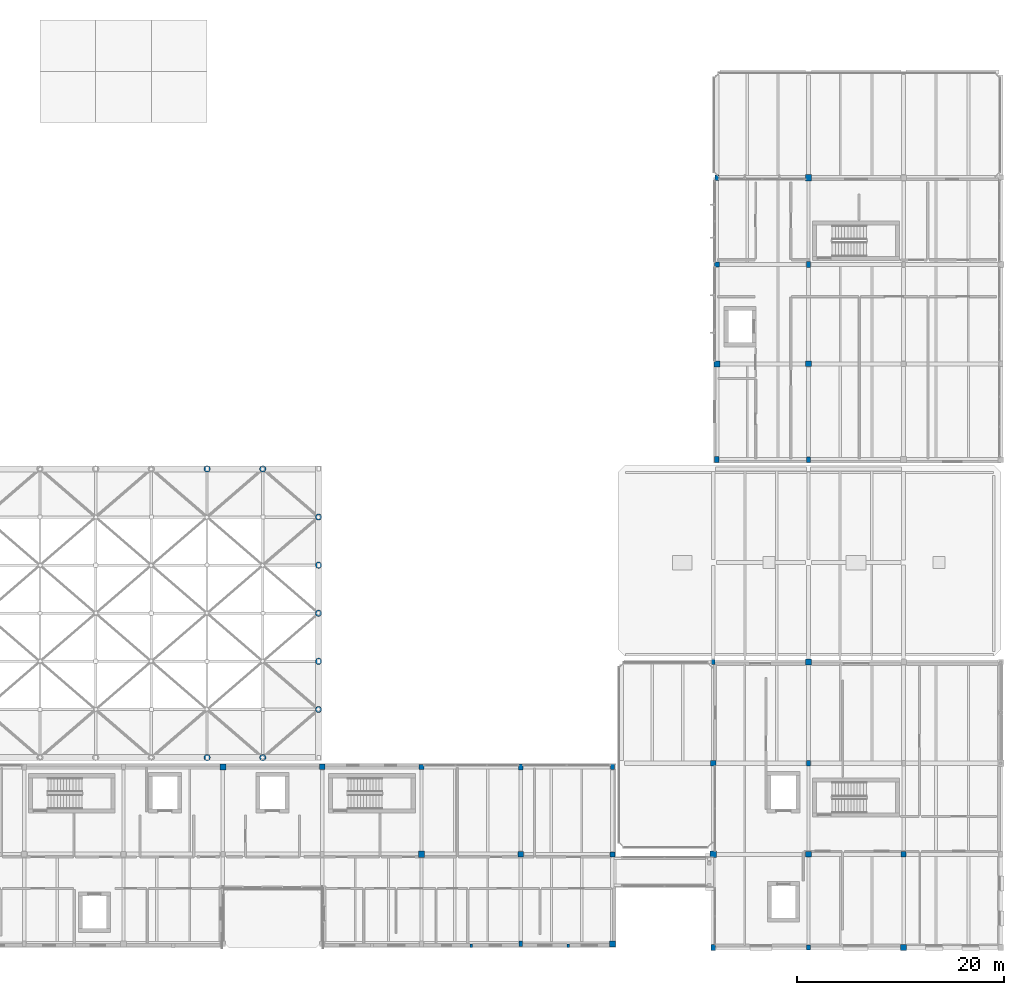
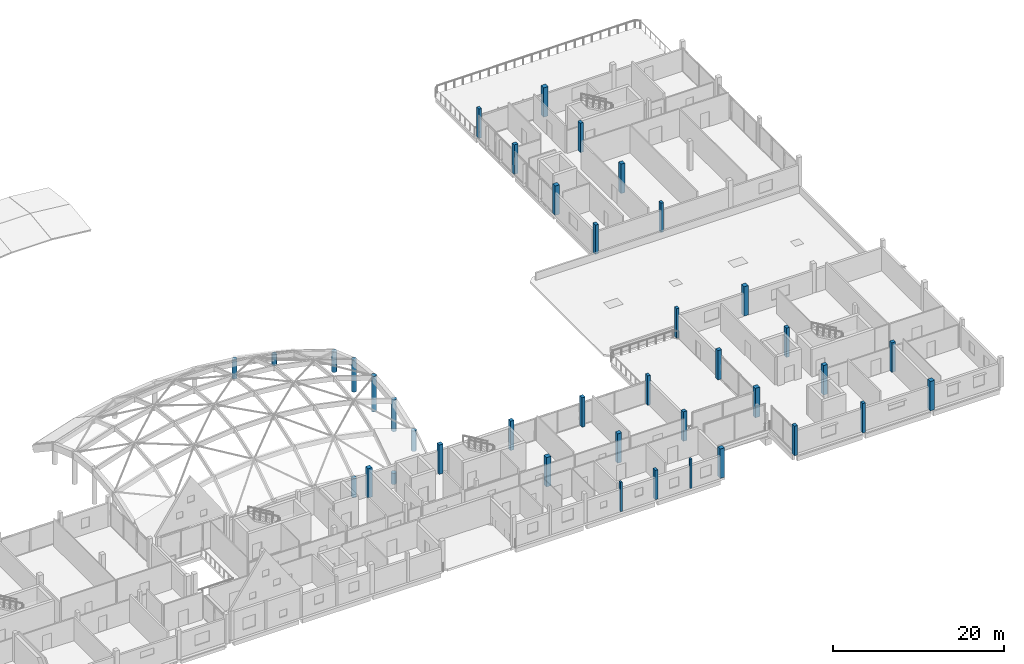
# One storey, part 2 of 41: 39 columns.
"""IFC4 building model written with IfcOpenShell, lengths in metres."""

from ifc_helpers import new_model, si_unit, direction, frame, origin, origin_2d, place, context, subcontext, project, spatial, rectangle, circle, extrude, material, material_profile, profile_set, type_object, element, save


model = new_model("IFC4")

# Units and contexts
model_context = context("Model", 3, precision=1e-05, world=origin(), true_north=direction((0.0, 1.0)))
body_context = subcontext(model_context, "Body", "Model", "MODEL_VIEW")
ifc_project = project(units=[si_unit("LENGTHUNIT", "METRE"), si_unit("AREAUNIT", "SQUARE_METRE"), si_unit("VOLUMEUNIT", "CUBIC_METRE"), si_unit("PLANEANGLEUNIT", "RADIAN"), si_unit("MASSUNIT", "GRAM", prefix="KILO")], contexts=[model_context])

# Site, building, storey
site_placement = place(None, origin())
site = spatial("IfcSite", under=ifc_project, at=site_placement, CompositionType="ELEMENT")
building_placement = place(site_placement, origin())
building = spatial("IfcBuilding", under=site, at=building_placement, Name="Birchvale Park Specialist Clinic", CompositionType="ELEMENT")
storey_placement = place(building_placement, frame((0.0, 0.0, 9.60009765625)))
storey = spatial("IfcBuildingStorey", under=building, at=storey_placement, Name="L02", CompositionType="ELEMENT", Elevation=9.60009765625)

# Columns
ifc_material = material(Name="Concrete C40/50", Category="concrete")
ifc_material_profile_1 = material_profile(ifc_material, rectangle(XDim=0.580078125, YDim=0.580078125, at=origin_2d()), Name="RC-580x580")
ifc_profile_set_1 = profile_set([ifc_material_profile_1], Name="Concrete C40/50")
column_type_1 = type_object("IfcColumnType", Name="COL-EXT-C03", PredefinedType="COLUMN", material=ifc_profile_set_1)
for number, where, z_axis, x_axis, name in (
    (1, (80.60009765625, 34.25, 0.0), (0.0, 0.0, 1.0), (1.0, 0.0, 0.0), "V4 L02 column 12"),
    (2, (118.25, 17.14990234375, 0.0), (0.0, 0.0, 1.0), (1.0, 0.0, 0.0), "V4 L02 column 22"),
    (3, (128.35009765625, 73.199951171875, 0.0), (0.0, 0.0, 1.0), (1.0, 0.0, 0.0), "V6 L02 column 2"),
):
    element("IfcColumn", number, at=place(storey_placement, frame(where, z_axis=z_axis, x_axis=x_axis)), inside=storey, type_object=column_type_1, Name=name, PredefinedType="COLUMN", context=body_context, shape_type="SweptSolid", body=[
        extrude(rectangle(XDim=0.580078125, YDim=0.580078125, at=origin_2d()), origin(), (0.0, 0.0, 1.0), 4.199951171875),
    ])
ifc_material_profile_2 = material_profile(ifc_material, rectangle(XDim=0.530029296875, YDim=0.530029296875, at=origin_2d()), Name="RC-530x530")
ifc_profile_set_2 = profile_set([ifc_material_profile_2], Name="Concrete C40/50")
column_type_2 = type_object("IfcColumnType", Name="COL-EXT-C04", PredefinedType="COLUMN", material=ifc_profile_set_2)
column_1_placement = place(storey_placement, frame((90.199951171875, 34.25, 0.0), z_axis=(0.0, 0.0, 1.0), x_axis=(1.0, 0.0, 0.0)))
element("IfcColumn", 4, at=column_1_placement, inside=storey, type_object=column_type_2, Name="V4 L02 column 15", PredefinedType="COLUMN", context=body_context, shape_type="SweptSolid", body=[
    extrude(rectangle(XDim=0.530029296875, YDim=0.530029296875, at=origin_2d()), origin(), (0.0, 0.0, 1.0), 4.199951171875),
])
ifc_material_profile_3 = material_profile(ifc_material, rectangle(XDim=0.47998046875, YDim=0.47998046875, at=origin_2d()), Name="RC-480x480")
ifc_profile_set_3 = profile_set([ifc_material_profile_3], Name="Concrete C40/50")
column_type_3 = type_object("IfcColumnType", Name="COL-EXT-C05", PredefinedType="COLUMN", material=ifc_profile_set_3)
for number, where, z_axis, x_axis, name in (
    (5, (99.800048828125, 34.25, 0.0), (0.0, 0.0, 1.0), (1.0, 0.0, 0.0), "V4 L02 column 18"),
    (6, (118.25, 25.800048828125, 0.0), (0.0, 0.0, 1.0), (1.0, 0.0, 0.0), "V4 L02 column 23"),
    (7, (128.35009765625, 82.800048828125, 0.0), (0.0, 0.0, 1.0), (1.0, 0.0, 0.0), "V6 L02 column 3"),
):
    element("IfcColumn", number, at=place(storey_placement, frame(where, z_axis=z_axis, x_axis=x_axis)), inside=storey, type_object=column_type_3, Name=name, PredefinedType="COLUMN", context=body_context, shape_type="SweptSolid", body=[
        extrude(rectangle(XDim=0.47998046875, YDim=0.47998046875, at=origin_2d()), origin(), (0.0, 0.0, 1.0), 4.199951171875),
    ])
ifc_material_profile_4 = material_profile(ifc_material, rectangle(XDim=0.419921875, YDim=0.580078125, at=origin_2d()), Name="RC-420x580")
ifc_profile_set_4 = profile_set([ifc_material_profile_4], Name="Concrete C40/50")
column_type_4 = type_object("IfcColumnType", Name="COL-EXT-C10", PredefinedType="COLUMN", material=ifc_profile_set_4)
for number, where, z_axis, x_axis, name in (
    (8, (109.39990234375, 34.25, 0.0), (0.0, 0.0, 1.0), (1.0, 0.0, 0.0), "V4 L02 column 21"),
    (9, (128.35009765625, 63.949951171875, 0.0), (0.0, 0.0, 1.0), (1.0, 0.0, 0.0), "V6 L02 column 1"),
):
    element("IfcColumn", number, at=place(storey_placement, frame(where, z_axis=z_axis, x_axis=x_axis)), inside=storey, type_object=column_type_4, Name=name, PredefinedType="COLUMN", context=body_context, shape_type="SweptSolid", body=[
        extrude(rectangle(XDim=0.419921875, YDim=0.580078125, at=origin_2d()), origin(), (0.0, 0.0, 1.0), 4.199951171875),
    ])
ifc_material_profile_5 = material_profile(ifc_material, rectangle(XDim=0.3701171875, YDim=0.52001953125, at=origin_2d()), Name="RC-370x520")
ifc_profile_set_5 = profile_set([ifc_material_profile_5], Name="Concrete C40/50")
column_type_5 = type_object("IfcColumnType", Name="COL-EXT-C11", PredefinedType="COLUMN", material=ifc_profile_set_5)
for number, where, z_axis, x_axis, name in (
    (10, (109.39990234375, 17.14990234375, 0.0), (0.0, 0.0, 1.0), (1.0, 0.0, 0.0), "V4 L02 column 19"),
    (11, (118.25, 34.25, 0.0), (0.0, 0.0, 1.0), (1.0, 0.0, 0.0), "V4 L02 column 24"),
    (12, (128.35009765625, 91.199951171875, 0.0), (0.0, 0.0, 1.0), (1.0, 0.0, 0.0), "V6 L02 column 4"),
    (13, (137.199951171875, 63.949951171875, 0.0), (0.0, 0.0, 1.0), (1.0, 0.0, 0.0), "V6 L02 column 5"),
):
    element("IfcColumn", number, at=place(storey_placement, frame(where, z_axis=z_axis, x_axis=x_axis)), inside=storey, type_object=column_type_5, Name=name, PredefinedType="COLUMN", context=body_context, shape_type="SweptSolid", body=[
        extrude(rectangle(XDim=0.3701171875, YDim=0.52001953125, at=origin_2d()), origin(), (0.0, 0.0, 1.0), 4.199951171875),
    ])
ifc_material_profile_6 = material_profile(ifc_material, circle(Radius=0.31005859375, at=origin_2d()), Name="RCC-620")
ifc_profile_set_6 = profile_set([ifc_material_profile_6], Name="Concrete C40/50")
column_type_6 = type_object("IfcColumnType", Name="COL-EXT-CC1", PredefinedType="COLUMN", material=ifc_profile_set_6)
for number, where, z_axis, x_axis, name in (
    (14, (79.07861328125, 35.14990234375, 0.0), (0.0, 0.0, 1.0), (1.0, 0.0, 0.0), "V1 gridshell perimeter arch support column 14"),
    (15, (79.07861328125, 63.050048828125, 0.0), (0.0, 0.0, 1.0), (1.0, 0.0, 0.0), "V1 gridshell perimeter arch support column 15"),
):
    element("IfcColumn", number, at=place(storey_placement, frame(where, z_axis=z_axis, x_axis=x_axis)), inside=storey, type_object=column_type_6, Name=name, PredefinedType="COLUMN", context=body_context, shape_type="SweptSolid", body=[
        extrude(circle(Radius=0.31005859375, at=origin_2d()), origin(), (0.0, 0.0, 1.0), 2.725341796875),
    ])
for number, where, z_axis, x_axis, name in (
    (16, (84.46435546875, 35.14990234375, 0.0), (0.0, 0.0, 1.0), (1.0, 0.0, 0.0), "V1 gridshell perimeter arch support column 16"),
    (17, (84.46435546875, 63.050048828125, 0.0), (0.0, 0.0, 1.0), (1.0, 0.0, 0.0), "V1 gridshell perimeter arch support column 17"),
):
    element("IfcColumn", number, at=place(storey_placement, frame(where, z_axis=z_axis, x_axis=x_axis)), inside=storey, type_object=column_type_6, Name=name, PredefinedType="COLUMN", context=body_context, shape_type="SweptSolid", body=[
        extrude(circle(Radius=0.31005859375, at=origin_2d()), origin(), (0.0, 0.0, 1.0), 1.58349609375),
    ])
column_2_placement = place(storey_placement, frame((89.85009765625, 39.800048828125, 0.0), z_axis=(0.0, 0.0, 1.0), x_axis=(1.0, 0.0, 0.0)))
element("IfcColumn", 18, at=column_2_placement, inside=storey, type_object=column_type_6, Name="V1 gridshell perimeter arch support column 18", PredefinedType="COLUMN", context=body_context, shape_type="SweptSolid", body=[
    extrude(circle(Radius=0.31005859375, at=origin_2d()), origin(), (0.0, 0.0, 1.0), 2.925048828125),
])
column_3_placement = place(storey_placement, frame((89.85009765625, 44.449951171875, 0.0), z_axis=(0.0, 0.0, 1.0), x_axis=(1.0, 0.0, 0.0)))
element("IfcColumn", 19, at=column_3_placement, inside=storey, type_object=column_type_6, Name="V1 gridshell perimeter arch support column 19", PredefinedType="COLUMN", context=body_context, shape_type="SweptSolid", body=[
    extrude(circle(Radius=0.31005859375, at=origin_2d()), origin(), (0.0, 0.0, 1.0), 4.564697265625),
])
column_4_placement = place(storey_placement, frame((89.85009765625, 49.10009765625, 0.0), z_axis=(0.0, 0.0, 1.0), x_axis=(1.0, 0.0, 0.0)))
element("IfcColumn", 20, at=column_4_placement, inside=storey, type_object=column_type_6, Name="V1 gridshell perimeter arch support column 20", PredefinedType="COLUMN", context=body_context, shape_type="SweptSolid", body=[
    extrude(circle(Radius=0.31005859375, at=origin_2d()), origin(), (0.0, 0.0, 1.0), 5.0830078125),
])
column_5_placement = place(storey_placement, frame((89.85009765625, 53.75, 0.0), z_axis=(0.0, 0.0, 1.0), x_axis=(1.0, 0.0, 0.0)))
element("IfcColumn", 21, at=column_5_placement, inside=storey, type_object=column_type_6, Name="V1 gridshell perimeter arch support column 21", PredefinedType="COLUMN", context=body_context, shape_type="SweptSolid", body=[
    extrude(circle(Radius=0.31005859375, at=origin_2d()), origin(), (0.0, 0.0, 1.0), 4.564697265625),
])
column_6_placement = place(storey_placement, frame((89.85009765625, 58.39990234375, 0.0), z_axis=(0.0, 0.0, 1.0), x_axis=(1.0, 0.0, 0.0)))
element("IfcColumn", 22, at=column_6_placement, inside=storey, type_object=column_type_6, Name="V1 gridshell perimeter arch support column 22", PredefinedType="COLUMN", context=body_context, shape_type="SweptSolid", body=[
    extrude(circle(Radius=0.31005859375, at=origin_2d()), origin(), (0.0, 0.0, 1.0), 2.925048828125),
])
ifc_material_profile_7 = material_profile(ifc_material, rectangle(XDim=0.60009765625, YDim=0.60009765625, at=origin_2d()), Name="RC-600x600")
ifc_profile_set_7 = profile_set([ifc_material_profile_7], Name="Concrete C40/50")
column_type_7 = type_object("IfcColumnType", Name="COL-INT-C03", PredefinedType="COLUMN", material=ifc_profile_set_7)
for number, where, z_axis, x_axis, name in (
    (23, (99.800048828125, 25.800048828125, 0.0), (0.0, 0.0, 1.0), (1.0, 0.0, 0.0), "V4 L02 column 17"),
    (24, (128.0, 25.800048828125, 0.0), (0.0, 0.0, 1.0), (1.0, 0.0, 0.0), "V5 L02 column 2"),
    (25, (137.199951171875, 44.39990234375, 0.0), (0.0, 0.0, 1.0), (1.0, 0.0, 0.0), "V5 L02 column 8"),
    (26, (146.39990234375, 16.800048828125, 0.0), (0.0, 0.0, 1.0), (1.0, 0.0, 0.0), "V5 L02 column 9"),
    (27, (137.199951171875, 91.199951171875, 0.0), (0.0, 0.0, 1.0), (1.0, 0.0, 0.0), "V6 L02 column 8"),
):
    element("IfcColumn", number, at=place(storey_placement, frame(where, z_axis=z_axis, x_axis=x_axis)), inside=storey, type_object=column_type_7, Name=name, PredefinedType="COLUMN", context=body_context, shape_type="SweptSolid", body=[
        extrude(rectangle(XDim=0.60009765625, YDim=0.60009765625, at=origin_2d()), origin(), (0.0, 0.0, 1.0), 4.199951171875),
    ])
ifc_material_profile_8 = material_profile(ifc_material, rectangle(XDim=0.550048828125, YDim=0.550048828125, at=origin_2d()), Name="RC-550x550")
ifc_profile_set_8 = profile_set([ifc_material_profile_8], Name="Concrete C40/50")
column_type_8 = type_object("IfcColumnType", Name="COL-INT-C04", PredefinedType="COLUMN", material=ifc_profile_set_8)
for number, where, z_axis, x_axis, name in (
    (28, (109.39990234375, 25.800048828125, 0.0), (0.0, 0.0, 1.0), (1.0, 0.0, 0.0), "V4 L02 column 20"),
    (29, (137.199951171875, 25.800048828125, 0.0), (0.0, 0.0, 1.0), (1.0, 0.0, 0.0), "V5 L02 column 6"),
    (30, (137.199951171875, 73.199951171875, 0.0), (0.0, 0.0, 1.0), (1.0, 0.0, 0.0), "V6 L02 column 6"),
):
    element("IfcColumn", number, at=place(storey_placement, frame(where, z_axis=z_axis, x_axis=x_axis)), inside=storey, type_object=column_type_8, Name=name, PredefinedType="COLUMN", context=body_context, shape_type="SweptSolid", body=[
        extrude(rectangle(XDim=0.550048828125, YDim=0.550048828125, at=origin_2d()), origin(), (0.0, 0.0, 1.0), 4.199951171875),
    ])
ifc_material_profile_9 = material_profile(ifc_material, rectangle(XDim=0.5, YDim=0.5, at=origin_2d()), Name="RC-500x500")
ifc_profile_set_9 = profile_set([ifc_material_profile_9], Name="Concrete C40/50")
column_type_9 = type_object("IfcColumnType", Name="COL-INT-C05", PredefinedType="COLUMN", material=ifc_profile_set_9)
for number, where, z_axis, x_axis, name in (
    (31, (128.0, 34.60009765625, 0.0), (0.0, 0.0, 1.0), (1.0, 0.0, 0.0), "V5 L02 column 3"),
    (32, (146.39990234375, 25.800048828125, 0.0), (0.0, 0.0, 1.0), (1.0, 0.0, 0.0), "V5 L02 column 10"),
):
    element("IfcColumn", number, at=place(storey_placement, frame(where, z_axis=z_axis, x_axis=x_axis)), inside=storey, type_object=column_type_9, Name=name, PredefinedType="COLUMN", context=body_context, shape_type="SweptSolid", body=[
        extrude(rectangle(XDim=0.5, YDim=0.5, at=origin_2d()), origin(), (0.0, 0.0, 1.0), 4.199951171875),
    ])
ifc_material_profile_10 = material_profile(ifc_material, rectangle(XDim=0.39990234375, YDim=0.550048828125, at=origin_2d()), Name="RC-400x550")
ifc_profile_set_10 = profile_set([ifc_material_profile_10], Name="Concrete C40/50")
column_type_10 = type_object("IfcColumnType", Name="COL-INT-C10", PredefinedType="COLUMN", material=ifc_profile_set_10)
for number, where, z_axis, x_axis, name in (
    (33, (128.0, 16.800048828125, 0.0), (0.0, 0.0, 1.0), (1.0, 0.0, 0.0), "V5 L02 column 1"),
    (34, (137.199951171875, 34.60009765625, 0.0), (0.0, 0.0, 1.0), (1.0, 0.0, 0.0), "V5 L02 column 7"),
    (35, (137.199951171875, 82.800048828125, 0.0), (0.0, 0.0, 1.0), (1.0, 0.0, 0.0), "V6 L02 column 7"),
):
    element("IfcColumn", number, at=place(storey_placement, frame(where, z_axis=z_axis, x_axis=x_axis)), inside=storey, type_object=column_type_10, Name=name, PredefinedType="COLUMN", context=body_context, shape_type="SweptSolid", body=[
        extrude(rectangle(XDim=0.39990234375, YDim=0.550048828125, at=origin_2d()), origin(), (0.0, 0.0, 1.0), 4.199951171875),
    ])
ifc_material_profile_11 = material_profile(ifc_material, rectangle(XDim=0.35009765625, YDim=0.5, at=origin_2d()), Name="RC-350x500")
ifc_profile_set_11 = profile_set([ifc_material_profile_11], Name="Concrete C40/50")
column_type_11 = type_object("IfcColumnType", Name="COL-INT-C11", PredefinedType="COLUMN", material=ifc_profile_set_11)
for number, where, z_axis, x_axis, name in (
    (36, (128.0, 44.39990234375, 0.0), (0.0, 0.0, 1.0), (1.0, 0.0, 0.0), "V5 L02 column 4"),
    (37, (137.199951171875, 16.800048828125, 0.0), (0.0, 0.0, 1.0), (1.0, 0.0, 0.0), "V5 L02 column 5"),
):
    element("IfcColumn", number, at=place(storey_placement, frame(where, z_axis=z_axis, x_axis=x_axis)), inside=storey, type_object=column_type_11, Name=name, PredefinedType="COLUMN", context=body_context, shape_type="SweptSolid", body=[
        extrude(rectangle(XDim=0.35009765625, YDim=0.5, at=origin_2d()), origin(), (0.0, 0.0, 1.0), 4.199951171875),
    ])
ifc_material_profile_12 = material_profile(ifc_material, rectangle(XDim=0.25, YDim=0.340087890625, at=origin_2d()), Name="PIL-250x340")
ifc_profile_set_12 = profile_set([ifc_material_profile_12], Name="Concrete C40/50")
column_type_12 = type_object("IfcColumnType", Name="PIL-PL3", PredefinedType="PILASTER", material=ifc_profile_set_12)
column_7_placement = place(storey_placement, frame((104.60009765625, 16.969970703125, 0.0), z_axis=(0.0, 0.0, 1.0), x_axis=(1.0, 0.0, 0.0)))
element("IfcColumn", 38, at=column_7_placement, inside=storey, type_object=column_type_12, Name="V4 L02 facade pilaster 18", PredefinedType="PILASTER", context=body_context, shape_type="SweptSolid", body=[
    extrude(rectangle(XDim=0.25, YDim=0.340087890625, at=origin_2d()), origin(), (0.0, 0.0, 1.0), 4.199951171875),
])
ifc_material_profile_13 = material_profile(ifc_material, rectangle(XDim=0.239990234375, YDim=0.320068359375, at=origin_2d()), Name="PIL-240x320")
ifc_profile_set_13 = profile_set([ifc_material_profile_13], Name="Concrete C40/50")
column_type_13 = type_object("IfcColumnType", Name="PIL-PL4", PredefinedType="PILASTER", material=ifc_profile_set_13)
column_8_placement = place(storey_placement, frame((114.0, 16.969970703125, 0.0), z_axis=(0.0, 0.0, 1.0), x_axis=(1.0, 0.0, 0.0)))
element("IfcColumn", 39, at=column_8_placement, inside=storey, type_object=column_type_13, Name="V4 L02 facade pilaster 23", PredefinedType="PILASTER", context=body_context, shape_type="SweptSolid", body=[
    extrude(rectangle(XDim=0.239990234375, YDim=0.320068359375, at=origin_2d()), origin(), (0.0, 0.0, 1.0), 4.199951171875),
])

save(model, "model.ifc")
